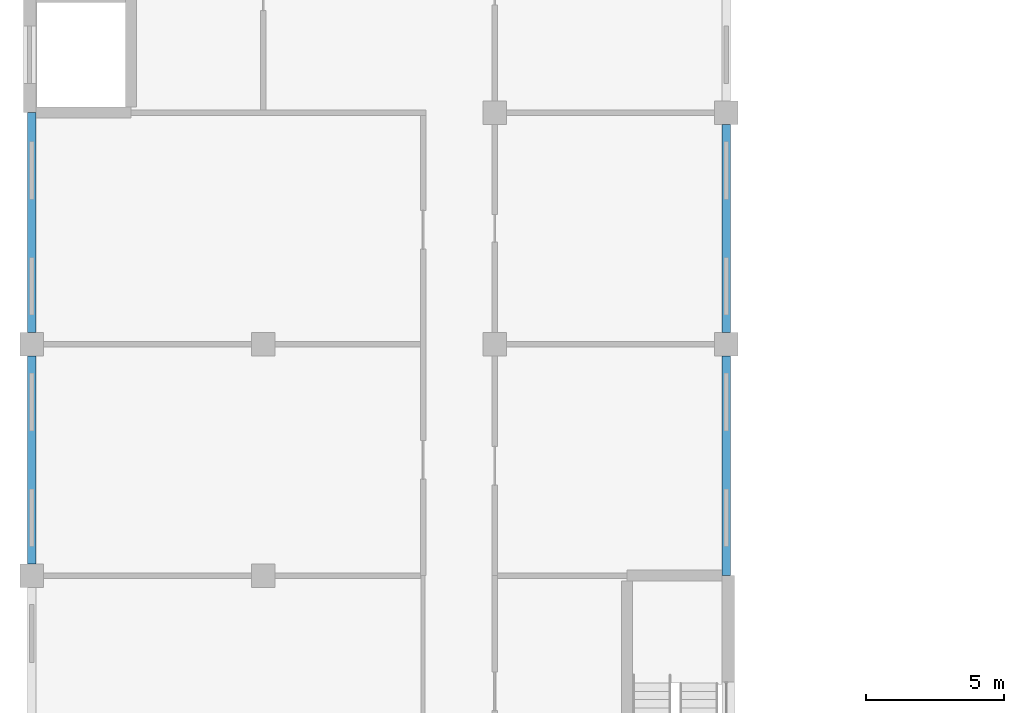
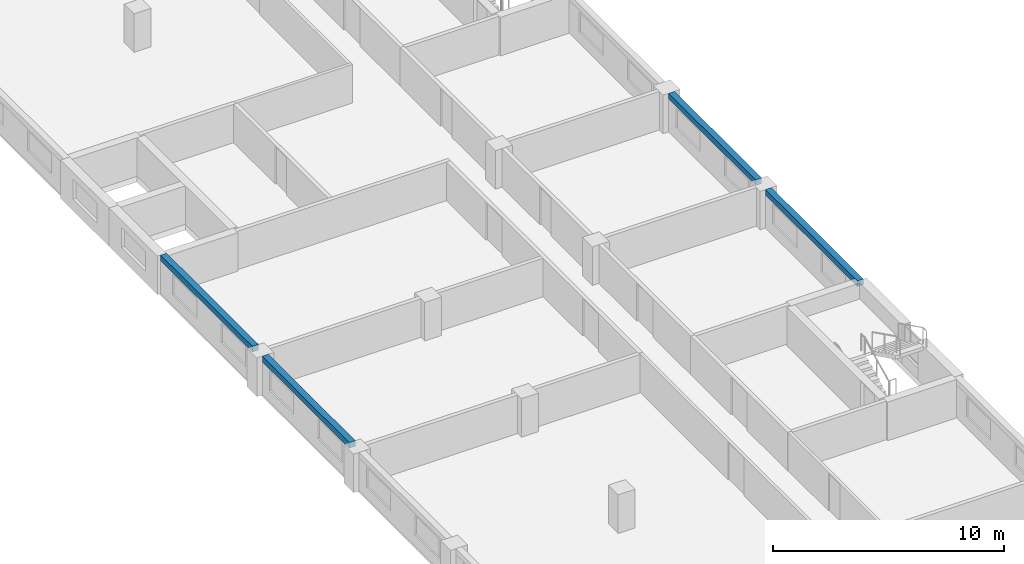
# One storey, part 6 of 48: 4 beams.
"""IFC4 building model written with IfcOpenShell, lengths in metres."""

from ifc_helpers import new_model, si_unit, direction, frame, origin, origin_2d, place, context, subcontext, project, spatial, rectangle, extrude, material, material_profile, profile_set, type_object, element, save


model = new_model("IFC4")

# Units and contexts
model_context = context("Model", 3, precision=1e-05, world=origin(), true_north=direction((0.0, 1.0)))
body_context = subcontext(model_context, "Body", "Model", "MODEL_VIEW")
ifc_project = project(units=[si_unit("LENGTHUNIT", "METRE"), si_unit("AREAUNIT", "SQUARE_METRE"), si_unit("VOLUMEUNIT", "CUBIC_METRE"), si_unit("PLANEANGLEUNIT", "RADIAN"), si_unit("MASSUNIT", "GRAM", prefix="KILO")], contexts=[model_context])

# Site, building, storey
site_placement = place(None, origin())
site = spatial("IfcSite", under=ifc_project, at=site_placement, CompositionType="ELEMENT")
building_placement = place(site_placement, origin())
building = spatial("IfcBuilding", under=site, at=building_placement, Name="Yavir Park General Hospital", CompositionType="ELEMENT")
storey_placement = place(building_placement, frame((0.0, 0.0, 12.89990234375)))
storey = spatial("IfcBuildingStorey", under=building, at=storey_placement, Name="I02", CompositionType="ELEMENT", Elevation=12.89990234375)

# Beams
ifc_material = material(Name="Concrete C35/45", Category="concrete")
ifc_material_profile = material_profile(ifc_material, rectangle(XDim=0.300048828125, YDim=0.300048828125, at=origin_2d()), Name="RC300x300")
ifc_profile_set = profile_set([ifc_material_profile], Name="Concrete C35/45")
beam_type = type_object("IfcBeamType", Name="RC BEAM 300x300 edge beam", PredefinedType="BEAM", material=ifc_profile_set)
beam_1_placement = place(storey_placement, frame((0.0, 50.824951171875, 1.89013671875), z_axis=(0.0, 1.0, 0.0), x_axis=(-1.0, 0.0, 0.0)))
element("IfcBeam", 1, at=beam_1_placement, inside=storey, type_object=beam_type, Name="B:EDGE:I02:036", PredefinedType="BEAM", context=body_context, shape_type="SweptSolid", body=[
    extrude(rectangle(XDim=0.300048828125, YDim=0.300048828125, at=origin_2d()), origin(), (0.0, 0.0, 1.0), 7.550048828125),
])
beam_2_placement = place(storey_placement, frame((0.0, 59.22509765625, 1.89013671875), z_axis=(0.0, 1.0, 0.0), x_axis=(-1.0, 0.0, 0.0)))
element("IfcBeam", 2, at=beam_2_placement, inside=storey, type_object=beam_type, Name="B:EDGE:I02:037", PredefinedType="BEAM", context=body_context, shape_type="SweptSolid", body=[
    extrude(rectangle(XDim=0.300048828125, YDim=0.300048828125, at=origin_2d()), origin(), (0.0, 0.0, 1.0), 7.974853515625),
])
beam_3_placement = place(storey_placement, frame((25.199951171875, 50.39990234375, 1.89013671875), z_axis=(0.0, 1.0, 0.0), x_axis=(-1.0, 0.0, 0.0)))
element("IfcBeam", 3, at=beam_3_placement, inside=storey, type_object=beam_type, Name="B:EDGE:I02:044", PredefinedType="BEAM", context=body_context, shape_type="SweptSolid", body=[
    extrude(rectangle(XDim=0.300048828125, YDim=0.300048828125, at=origin_2d()), origin(), (0.0, 0.0, 1.0), 7.97509765625),
])
beam_4_placement = place(storey_placement, frame((25.199951171875, 59.22509765625, 1.89013671875), z_axis=(0.0, 1.0, 0.0), x_axis=(-1.0, 0.0, 0.0)))
element("IfcBeam", 4, at=beam_4_placement, inside=storey, type_object=beam_type, Name="B:EDGE:I02:045", PredefinedType="BEAM", context=body_context, shape_type="SweptSolid", body=[
    extrude(rectangle(XDim=0.300048828125, YDim=0.300048828125, at=origin_2d()), origin(), (0.0, 0.0, 1.0), 7.5498046875),
])

save(model, "model.ifc")
